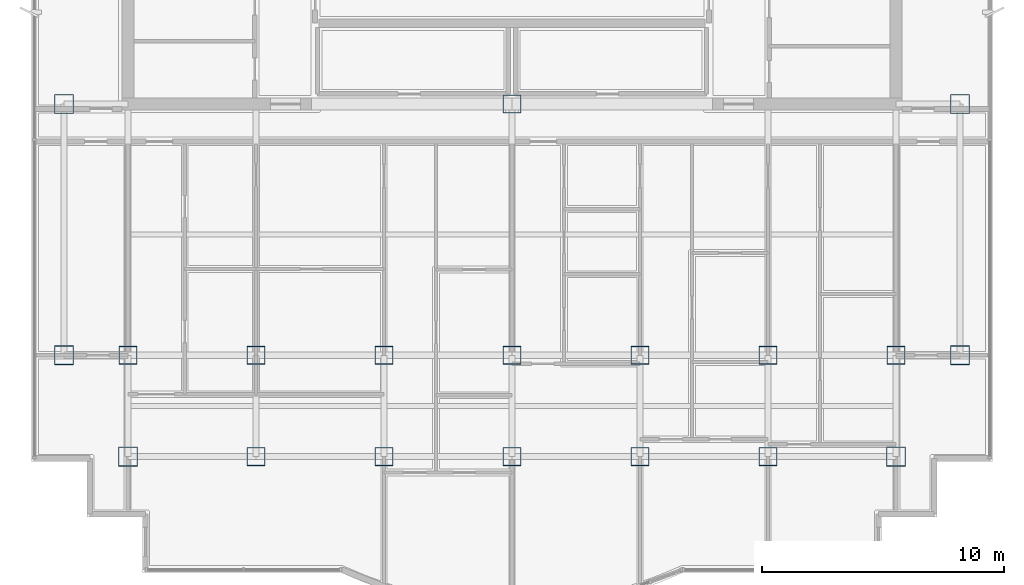
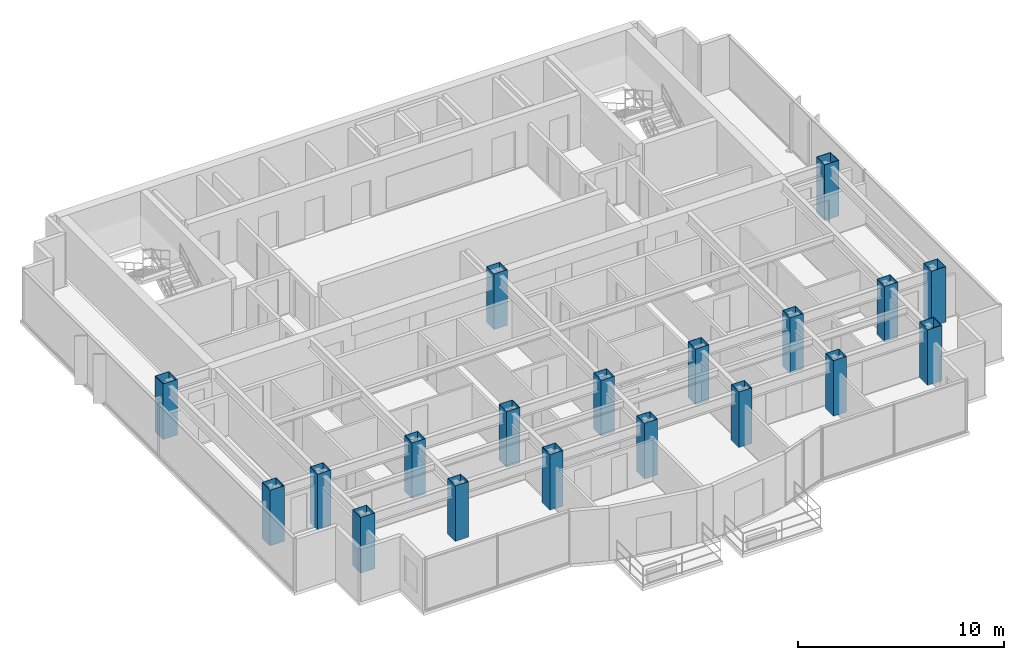
# One storey, part 1 of 12: 19 columns.
"""IFC4 building model written with IfcOpenShell, lengths in metres."""

from ifc_helpers import new_model, si_unit, direction, frame, origin, origin_2d, place, context, subcontext, project, spatial, hollow_rectangle, extrude, material, material_profile, profile_set, type_object, element, save


model = new_model("IFC4")

# Units and contexts
model_context = context("Model", 3, precision=1e-05, world=origin(), true_north=direction((0.0, 1.0)))
body_context = subcontext(model_context, "Body", "Model", "MODEL_VIEW")
ifc_project = project(units=[si_unit("LENGTHUNIT", "METRE"), si_unit("AREAUNIT", "SQUARE_METRE"), si_unit("VOLUMEUNIT", "CUBIC_METRE"), si_unit("PLANEANGLEUNIT", "RADIAN"), si_unit("MASSUNIT", "GRAM", prefix="KILO")], contexts=[model_context])

# Site, building, storey
site_placement = place(None, origin())
site = spatial("IfcSite", under=ifc_project, at=site_placement, CompositionType="ELEMENT")
building_placement = place(site_placement, origin())
building = spatial("IfcBuilding", under=site, at=building_placement, Name="Qianlan Lanfeng Residences", CompositionType="ELEMENT")
storey_placement = place(building_placement, frame((0.0, 0.0, 216.5)))
storey = spatial("IfcBuildingStorey", under=building, at=storey_placement, Name="L59", CompositionType="ELEMENT", Elevation=216.5)

# Columns
ifc_material = material(Name="Steel SN490B", Category="steel")
ifc_material_profile_1 = material_profile(ifc_material, hollow_rectangle(XDim=0.75, YDim=0.75, WallThickness=0.02490234375, at=origin_2d()), Name="BOX 750x750x25")
ifc_profile_set_1 = profile_set([ifc_material_profile_1], Name="Steel SN490B")
column_type_1 = type_object("IfcColumnType", Name="C-B800", PredefinedType="COLUMN", material=ifc_profile_set_1)
for number, where, z_axis, x_axis, name in (
    (1, (26.5, 25.199951171875, 0.0), (0.0, 0.0, 1.0), (1.0, 0.0, 0.0), "L59 Structural Column CP_26.5_25.2"),
    (2, (10.60009765625, 14.800048828125, 0.0), (0.0, 0.0, 1.0), (1.0, 0.0, 0.0), "L59 Structural Column M_10.60_14.80"),
    (3, (15.89990234375, 14.800048828125, 0.0), (0.0, 0.0, 1.0), (1.0, 0.0, 0.0), "L59 Structural Column M_15.90_14.80"),
    (4, (15.89990234375, 10.60009765625, 0.0), (0.0, 0.0, 1.0), (1.0, 0.0, 0.0), "L59 Structural Column G_15.90_10.60"),
    (5, (21.199951171875, 14.800048828125, 0.0), (0.0, 0.0, 1.0), (1.0, 0.0, 0.0), "L59 Structural Column M_21.20_14.80"),
    (6, (21.199951171875, 10.60009765625, 0.0), (0.0, 0.0, 1.0), (1.0, 0.0, 0.0), "L59 Structural Column G_21.20_10.60"),
    (7, (26.5, 14.800048828125, 0.0), (0.0, 0.0, 1.0), (1.0, 0.0, 0.0), "L59 Structural Column M_26.50_14.80"),
    (8, (26.5, 10.60009765625, 0.0), (0.0, 0.0, 1.0), (1.0, 0.0, 0.0), "L59 Structural Column G_26.50_10.60"),
    (9, (31.800048828125, 14.800048828125, 0.0), (0.0, 0.0, 1.0), (1.0, 0.0, 0.0), "L59 Structural Column M_31.80_14.80"),
    (10, (31.800048828125, 10.60009765625, 0.0), (0.0, 0.0, 1.0), (1.0, 0.0, 0.0), "L59 Structural Column G_31.80_10.60"),
    (11, (37.10009765625, 14.800048828125, 0.0), (0.0, 0.0, 1.0), (1.0, 0.0, 0.0), "L59 Structural Column M_37.10_14.80"),
    (12, (37.10009765625, 10.60009765625, 0.0), (0.0, 0.0, 1.0), (1.0, 0.0, 0.0), "L59 Structural Column G_37.10_10.60"),
    (13, (42.39990234375, 14.800048828125, 0.0), (0.0, 0.0, 1.0), (1.0, 0.0, 0.0), "L59 Structural Column M_42.40_14.80"),
):
    element("IfcColumn", number, at=place(storey_placement, frame(where, z_axis=z_axis, x_axis=x_axis)), inside=storey, type_object=column_type_1, Name=name, PredefinedType="COLUMN", context=body_context, shape_type="SweptSolid", body=[
        extrude(hollow_rectangle(XDim=0.75, YDim=0.75, WallThickness=0.02490234375, at=origin_2d()), origin(), (0.0, 0.0, 1.0), 3.300048828125),
    ])
ifc_material_profile_2 = material_profile(ifc_material, hollow_rectangle(XDim=0.800048828125, YDim=0.800048828125, WallThickness=0.028076171875, at=origin_2d()), Name="BOX 800x800x28")
ifc_profile_set_2 = profile_set([ifc_material_profile_2], Name="Steel SN490B")
column_type_2 = type_object("IfcColumnType", Name="CE-B800", PredefinedType="COLUMN", material=ifc_profile_set_2)
for number, where, z_axis, x_axis, name in (
    (14, (10.60009765625, 10.60009765625, 0.0), (0.0, 0.0, 1.0), (1.0, 0.0, 0.0), "L59 Structural Column G_10.60_10.60"),
    (15, (42.39990234375, 10.60009765625, 0.0), (0.0, 0.0, 1.0), (1.0, 0.0, 0.0), "L59 Structural Column G_42.40_10.60"),
    (16, (7.949951171875, 14.800048828125, 0.0), (0.0, 0.0, 1.0), (1.0, 0.0, 0.0), "L59 Structural Column W_7.95_14.80"),
    (17, (7.949951171875, 25.199951171875, 0.0), (0.0, 0.0, 1.0), (1.0, 0.0, 0.0), "L59 Structural Column W_7.95_25.20"),
    (18, (45.050048828125, 14.800048828125, 0.0), (0.0, 0.0, 1.0), (1.0, 0.0, 0.0), "L59 Structural Column W_45.05_14.80"),
    (19, (45.050048828125, 25.199951171875, 0.0), (0.0, 0.0, 1.0), (1.0, 0.0, 0.0), "L59 Structural Column W_45.05_25.20"),
):
    element("IfcColumn", number, at=place(storey_placement, frame(where, z_axis=z_axis, x_axis=x_axis)), inside=storey, type_object=column_type_2, Name=name, PredefinedType="COLUMN", context=body_context, shape_type="SweptSolid", body=[
        extrude(hollow_rectangle(XDim=0.800048828125, YDim=0.800048828125, WallThickness=0.028076171875, at=origin_2d()), origin(), (0.0, 0.0, 1.0), 3.300048828125),
    ])

save(model, "model.ifc")
